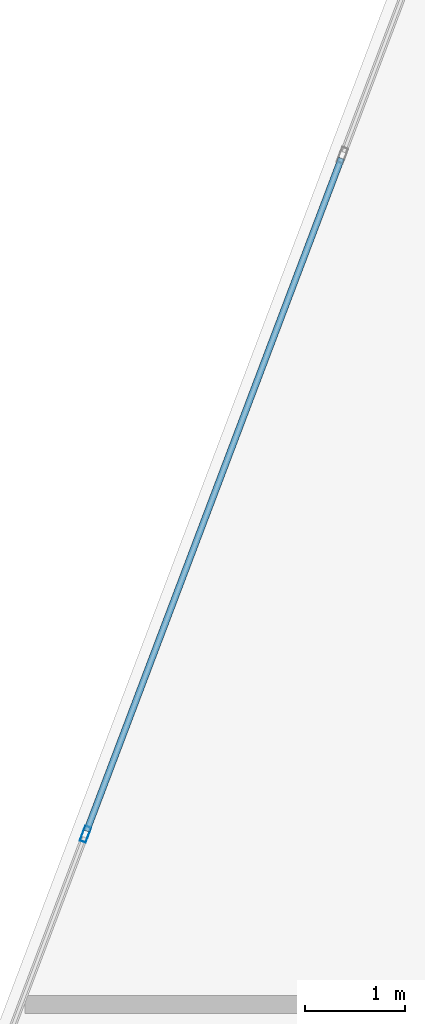
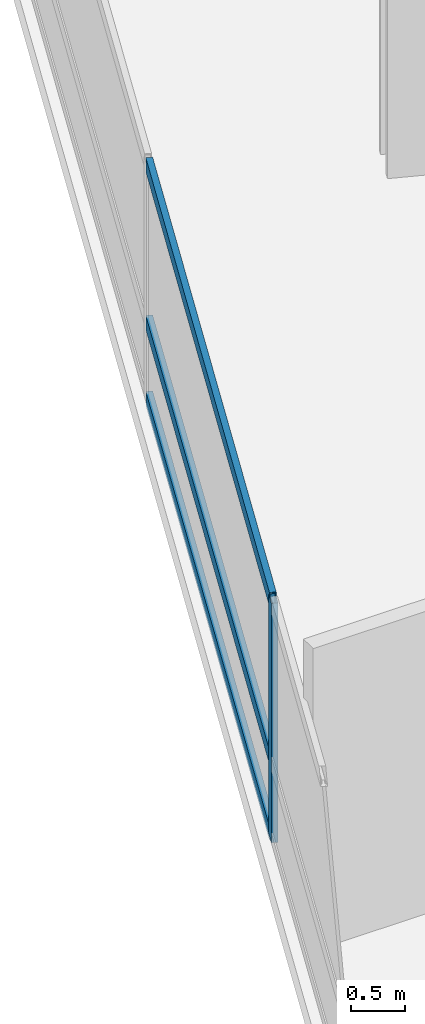
# One storey, part 4 of 25: 4 members, 1 element without a shape of its own.
"""IFC4 building model written with IfcOpenShell, lengths in metres."""

from ifc_helpers import new_model, si_unit, direction, frame, origin, origin_2d, place, context, subcontext, project, spatial, hollow_rectangle, extrude, material, layer, layer_set, material_profile, profile_set, type_object, element, aggregate, save


model = new_model("IFC4")

# Units and contexts
model_context = context("Model", 3, precision=1e-05, world=origin(), true_north=direction((0.0, 1.0)))
body_context = subcontext(model_context, "Body", "Model", "MODEL_VIEW")
ifc_project = project(units=[si_unit("LENGTHUNIT", "METRE"), si_unit("AREAUNIT", "SQUARE_METRE"), si_unit("VOLUMEUNIT", "CUBIC_METRE"), si_unit("PLANEANGLEUNIT", "RADIAN"), si_unit("MASSUNIT", "GRAM", prefix="KILO")], contexts=[model_context])

# Site, building, storey
site_placement = place(None, origin())
site = spatial("IfcSite", under=ifc_project, at=site_placement, CompositionType="ELEMENT")
building_placement = place(site_placement, origin())
building = spatial("IfcBuilding", under=site, at=building_placement, Name="Varnelok Gate Tower", CompositionType="ELEMENT")
storey_placement = place(building_placement, frame((0.0, 0.0, 91.0)))
storey = spatial("IfcBuildingStorey", under=building, at=storey_placement, Name="L22", CompositionType="ELEMENT", Elevation=91.0)

# Curtain wall, members
ifc_material = material(Name="Anodized Aluminum Alloy 6063-T6", Category="aluminium")
ifc_layer = layer(ifc_material, 0.179931640625)
ifc_layer_set = layer_set([ifc_layer], Name="Anodized Aluminum Alloy 6063-T6")
curtain_wall_type = type_object("IfcCurtainWallType", Name="CW3-HOTEL-VISION", PredefinedType="USERDEFINED", material=ifc_layer_set)
curtain_wall_placement = place(storey_placement, origin())
curtain_wall = element("IfcCurtainWall", 1, at=curtain_wall_placement, inside=storey, type_object=curtain_wall_type, Name="L22 West End Vision Curtain Wall", ObjectType="UNITISED CURTAIN WALL", PredefinedType="USERDEFINED")
ifc_material_profile_1 = material_profile(ifc_material, hollow_rectangle(XDim=0.06494140625, YDim=0.159912109375, WallThickness=0.00390625, at=origin_2d()), Name="ALU160X65X4")
ifc_profile_set_1 = profile_set([ifc_material_profile_1], Name="Anodized Aluminum Alloy 6063-T6")
member_type_1 = type_object("IfcMemberType", Name="CW-MULL-160", PredefinedType="MULLION", material=ifc_profile_set_1)
member_1_placement = place(storey_placement, frame((0.508544921875, 28.3359375, 0.0), z_axis=(0.0, 0.0, 1.0), x_axis=(-0.935221323688, 0.354063660545, 0.0)))
member_1 = element("IfcMember", 2, at=member_1_placement, type_object=member_type_1, Name="CW3 mullion 2", PredefinedType="MULLION", context=body_context, shape_type="SweptSolid", body=[
    extrude(hollow_rectangle(XDim=0.06494140625, YDim=0.159912109375, WallThickness=0.00390625, at=origin_2d()), origin(), (0.0, 0.0, 1.0), 2.72998046875),
])
ifc_material_profile_2 = material_profile(ifc_material, hollow_rectangle(XDim=0.06494140625, YDim=0.159912109375, WallThickness=0.00390625, at=origin_2d()), Name="ALU160X65X4")
ifc_profile_set_2 = profile_set([ifc_material_profile_2], Name="Anodized Aluminum Alloy 6063-T6")
member_type_2 = type_object("IfcMemberType", Name="CW-TRAN-160", PredefinedType="USERDEFINED", material=ifc_profile_set_2)
member_2_placement = place(storey_placement, frame((0.52001953125, 28.3662109375, 0.032470703125), z_axis=(0.354078724634, 0.935215620465, 0.0), x_axis=(-0.935215620465, 0.354078724634, 0.0)))
member_2 = element("IfcMember", 3, at=member_2_placement, type_object=member_type_2, Name="CW3 transom 2.1", ObjectType="TRANSOM", PredefinedType="USERDEFINED", context=body_context, shape_type="SweptSolid", body=[
    extrude(hollow_rectangle(XDim=0.06494140625, YDim=0.159912109375, WallThickness=0.00390625, at=origin_2d()), origin(), (0.0, 0.0, 1.0), 7.175048828125),
])
member_3_placement = place(storey_placement, frame((0.52001953125, 28.3662109375, 0.89990234375), z_axis=(0.354078724634, 0.935215620465, 0.0), x_axis=(-0.935215620465, 0.354078724634, 0.0)))
member_3 = element("IfcMember", 4, at=member_3_placement, type_object=member_type_2, Name="CW3 transom 2.2", ObjectType="TRANSOM", PredefinedType="USERDEFINED", context=body_context, shape_type="SweptSolid", body=[
    extrude(hollow_rectangle(XDim=0.06494140625, YDim=0.159912109375, WallThickness=0.00390625, at=origin_2d()), origin(), (0.0, 0.0, 1.0), 7.175048828125),
])
member_4_placement = place(storey_placement, frame((0.52001953125, 28.3662109375, 2.697509765625), z_axis=(0.354078724634, 0.935215620465, 0.0), x_axis=(-0.935215620465, 0.354078724634, 0.0)))
member_4 = element("IfcMember", 5, at=member_4_placement, type_object=member_type_2, Name="CW3 transom 2.3", ObjectType="TRANSOM", PredefinedType="USERDEFINED", context=body_context, shape_type="SweptSolid", body=[
    extrude(hollow_rectangle(XDim=0.06494140625, YDim=0.159912109375, WallThickness=0.00390625, at=origin_2d()), origin(), (0.0, 0.0, 1.0), 7.175048828125),
])
aggregate(curtain_wall, [member_1, member_2, member_3, member_4])

save(model, "model.ifc")
